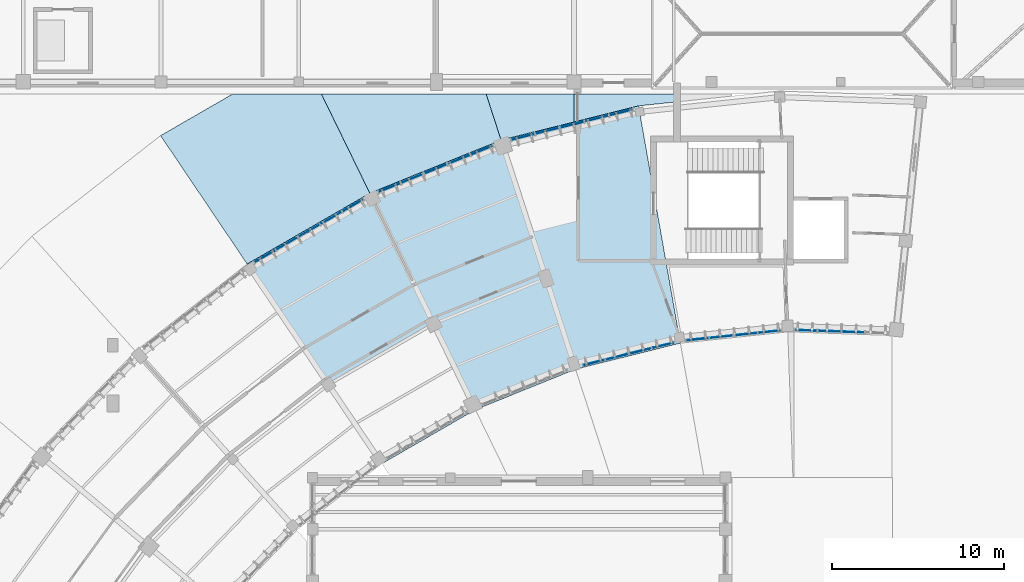
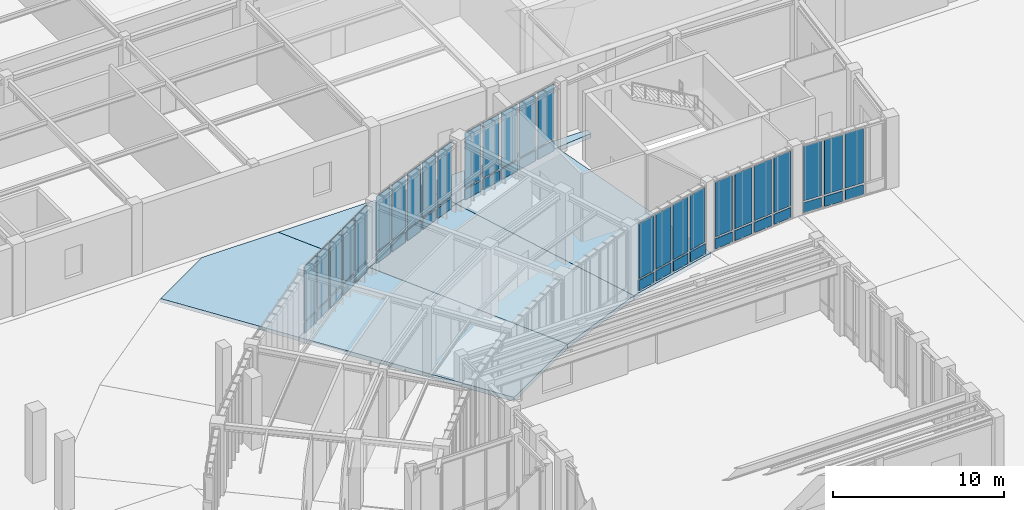
# One storey, part 27 of 68: 52 plates, 7 slabs, 6 elements without a shape of their own.
"""IFC4 building model written with IfcOpenShell, lengths in metres."""

from ifc_helpers import new_model, si_unit, direction, frame, origin, origin_2d, place, context, subcontext, project, spatial, polyline, rectangle, outline, extrude, material, layer, layer_set, type_object, element, aggregate, save


model = new_model("IFC4")

# Units and contexts
model_context = context("Model", 3, precision=1e-05, world=origin(), true_north=direction((0.0, 1.0)))
body_context = subcontext(model_context, "Body", "Model", "MODEL_VIEW")
ifc_project = project(units=[si_unit("LENGTHUNIT", "METRE"), si_unit("AREAUNIT", "SQUARE_METRE"), si_unit("VOLUMEUNIT", "CUBIC_METRE"), si_unit("PLANEANGLEUNIT", "RADIAN"), si_unit("MASSUNIT", "GRAM", prefix="KILO"), si_unit("THERMODYNAMICTEMPERATUREUNIT", "KELVIN"), si_unit("POWERUNIT", "WATT")], contexts=[model_context])

# Site, building, storey
site_placement = place(None, origin())
site = spatial("IfcSite", under=ifc_project, at=site_placement, CompositionType="ELEMENT")
building_placement = place(site_placement, origin())
building = spatial("IfcBuilding", under=site, at=building_placement, Name="Solvatero Civic Police Headquarters", CompositionType="ELEMENT")
storey_placement = place(building_placement, origin())
storey = spatial("IfcBuildingStorey", under=building, at=storey_placement, Name="L00", CompositionType="ELEMENT", Elevation=0.0)

# Curtain wall, plates
ifc_material_1 = material(Name="Anodized Bronze Aluminium", Category="aluminium")
ifc_layer_1 = layer(ifc_material_1, 0.179931640625)
ifc_layer_set_1 = layer_set([ifc_layer_1], Name="Anodized Bronze Aluminium")
curtain_wall_type_1 = type_object("IfcCurtainWallType", Name="CW-ARC-IN", PredefinedType="USERDEFINED", material=ifc_layer_set_1)
curtain_wall_1_placement = place(storey_placement, origin())
curtain_wall_1 = element("IfcCurtainWall", 1, at=curtain_wall_1_placement, inside=storey, type_object=curtain_wall_type_1, Name="Curtain Wall CW-R2-L00-ARC-IN-B01", ObjectType="UNITISED", PredefinedType="USERDEFINED")
ifc_material_2 = material(Name="Triple Low-E Laminated Glass", Category="glass")
ifc_layer_2 = layer(ifc_material_2, 0.0380859375)
ifc_layer_set_2 = layer_set([ifc_layer_2], Name="Triple Low-E Laminated Glass")
plate_type_1 = type_object("IfcPlateType", Name="CWP-GLZ-38", PredefinedType="CURTAIN_PANEL", material=ifc_layer_set_2)
plate_1_placement = place(storey_placement, frame((96.22314453125, 70.9599609375, 0.91015625), z_axis=(0.0, 0.0, 1.0), x_axis=(-0.999390827019, 0.034899496703, 0.0)))
plate_1 = element("IfcPlate", 2, at=plate_1_placement, type_object=plate_type_1, Name="CW-R2-L00-ARC-IN-B01 Vision Glazing 2", PredefinedType="CURTAIN_PANEL", context=body_context, shape_type="SweptSolid", body=[
    extrude(rectangle(XDim=1.200439453125, YDim=0.0380859375, at=origin_2d()), origin(), (0.0, 0.0, 1.0), 3.909912109375),
])
plate_2_placement = place(storey_placement, frame((93.4638671875, 71.05615234375, 0.91015625), z_axis=(0.0, 0.0, 1.0), x_axis=(-0.999390827019, 0.034899496703, 0.0)))
plate_2 = element("IfcPlate", 3, at=plate_2_placement, type_object=plate_type_1, Name="CW-R2-L00-ARC-IN-B01 Vision Glazing 4", PredefinedType="CURTAIN_PANEL", context=body_context, shape_type="SweptSolid", body=[
    extrude(rectangle(XDim=1.200439453125, YDim=0.0380859375, at=origin_2d()), origin(), (0.0, 0.0, 1.0), 3.909912109375),
])

curtain_wall_2_placement = place(storey_placement, origin())
curtain_wall_2 = element("IfcCurtainWall", 4, at=curtain_wall_2_placement, inside=storey, type_object=curtain_wall_type_1, Name="Curtain Wall CW-R2-L00-ARC-IN-B02", ObjectType="UNITISED", PredefinedType="USERDEFINED")
plate_3_placement = place(storey_placement, frame((91.376220703125, 70.982177734375, 0.91015625), z_axis=(0.0, 0.0, 1.0), x_axis=(-0.994523719583, -0.10451110557, 0.0)))
plate_3 = element("IfcPlate", 5, at=plate_3_placement, type_object=plate_type_1, Name="CW-R2-L00-ARC-IN-B02 Vision Glazing 1", PredefinedType="CURTAIN_PANEL", context=body_context, shape_type="SweptSolid", body=[
    extrude(rectangle(XDim=1.231689453125, YDim=0.0380859375, at=origin_2d()), origin(), (0.0, 0.0, 1.0), 3.909912109375),
])
plate_4_placement = place(storey_placement, frame((88.568359375, 70.68701171875, 0.91015625), z_axis=(0.0, 0.0, 1.0), x_axis=(-0.994523719583, -0.10451110557, 0.0)))
plate_4 = element("IfcPlate", 6, at=plate_4_placement, type_object=plate_type_1, Name="CW-R2-L00-ARC-IN-B02 Vision Glazing 3", PredefinedType="CURTAIN_PANEL", context=body_context, shape_type="SweptSolid", body=[
    extrude(rectangle(XDim=1.231689453125, YDim=0.0380859375, at=origin_2d()), origin(), (0.0, 0.0, 1.0), 3.909912109375),
])

ifc_layer_3 = layer(ifc_material_1, 0.179931640625)
ifc_layer_set_3 = layer_set([ifc_layer_3], Name="Anodized Bronze Aluminium")
curtain_wall_type_2 = type_object("IfcCurtainWallType", Name="CW-ARC-OUT", PredefinedType="USERDEFINED", material=ifc_layer_set_3)
curtain_wall_3_placement = place(storey_placement, origin())
curtain_wall_3 = element("IfcCurtainWall", 7, at=curtain_wall_3_placement, inside=storey, type_object=curtain_wall_type_2, Name="Curtain Wall CW-R2-L00-ARC-OUT-B03", ObjectType="UNITISED", PredefinedType="USERDEFINED")
plate_5_placement = place(storey_placement, frame((81.323974609375, 83.374267578125, 0.91015625), z_axis=(0.0, 0.0, 1.0), x_axis=(-0.970295726276, -0.2419218956, 0.0)))
plate_5 = element("IfcPlate", 8, at=plate_5_placement, type_object=plate_type_1, Name="CW-R2-L00-ARC-OUT-B03 Vision Glazing 2", PredefinedType="CURTAIN_PANEL", context=body_context, shape_type="SweptSolid", body=[
    extrude(rectangle(XDim=1.300537109375, YDim=0.0380859375, at=origin_2d()), origin(), (0.0, 0.0, 1.0), 3.909912109375),
])
plate_6_placement = place(storey_placement, frame((78.450927734375, 82.65771484375, 0.91015625), z_axis=(0.0, 0.0, 1.0), x_axis=(-0.970295726276, -0.2419218956, 0.0)))
plate_6 = element("IfcPlate", 9, at=plate_6_placement, type_object=plate_type_1, Name="CW-R2-L00-ARC-OUT-B03 Vision Glazing 4", PredefinedType="CURTAIN_PANEL", context=body_context, shape_type="SweptSolid", body=[
    extrude(rectangle(XDim=1.300537109375, YDim=0.0380859375, at=origin_2d()), origin(), (0.0, 0.0, 1.0), 3.909912109375),
])

curtain_wall_4_placement = place(storey_placement, origin())
curtain_wall_4 = element("IfcCurtainWall", 10, at=curtain_wall_4_placement, inside=storey, type_object=curtain_wall_type_1, Name="Curtain Wall CW-R2-L00-ARC-IN-B03", ObjectType="UNITISED", PredefinedType="USERDEFINED")
plate_7_placement = place(storey_placement, frame((85.19921875, 70.193603515625, 0.91015625), z_axis=(0.0, 0.0, 1.0), x_axis=(-0.970295726276, -0.2419218956, 0.0)))
plate_7 = element("IfcPlate", 11, at=plate_7_placement, type_object=plate_type_1, Name="CW-R2-L00-ARC-IN-B03 Vision Glazing 1", PredefinedType="CURTAIN_PANEL", context=body_context, shape_type="SweptSolid", body=[
    extrude(rectangle(XDim=1.212890625, YDim=0.0380859375, at=origin_2d()), origin(), (0.0, 0.0, 1.0), 3.909912109375),
])
plate_8_placement = place(storey_placement, frame((82.495849609375, 69.519775390625, 0.91015625), z_axis=(0.0, 0.0, 1.0), x_axis=(-0.970295726276, -0.2419218956, 0.0)))
plate_8 = element("IfcPlate", 12, at=plate_8_placement, type_object=plate_type_1, Name="CW-R2-L00-ARC-IN-B03 Vision Glazing 3", PredefinedType="CURTAIN_PANEL", context=body_context, shape_type="SweptSolid", body=[
    extrude(rectangle(XDim=1.212890625, YDim=0.0380859375, at=origin_2d()), origin(), (0.0, 0.0, 1.0), 3.909912109375),
])

curtain_wall_5_placement = place(storey_placement, origin())
curtain_wall_5 = element("IfcCurtainWall", 13, at=curtain_wall_5_placement, inside=storey, type_object=curtain_wall_type_2, Name="Curtain Wall CW-R2-L00-ARC-OUT-B04", ObjectType="UNITISED", PredefinedType="USERDEFINED")
plate_9_placement = place(storey_placement, frame((73.3115234375, 80.99072265625, 0.91015625), z_axis=(0.0, 0.0, 1.0), x_axis=(-0.927183854567, -0.374606593416, 0.0)))
plate_9 = element("IfcPlate", 14, at=plate_9_placement, type_object=plate_type_1, Name="CW-R2-L00-ARC-OUT-B04 Vision Glazing 2", PredefinedType="CURTAIN_PANEL", context=body_context, shape_type="SweptSolid", body=[
    extrude(rectangle(XDim=1.275390625, YDim=0.0380859375, at=origin_2d()), origin(), (0.0, 0.0, 1.0), 3.909912109375),
])
plate_10_placement = place(storey_placement, frame((70.612548828125, 79.900390625, 0.91015625), z_axis=(0.0, 0.0, 1.0), x_axis=(-0.927183854567, -0.374606593416, 0.0)))
plate_10 = element("IfcPlate", 15, at=plate_10_placement, type_object=plate_type_1, Name="CW-R2-L00-ARC-OUT-B04 Vision Glazing 4", PredefinedType="CURTAIN_PANEL", context=body_context, shape_type="SweptSolid", body=[
    extrude(rectangle(XDim=1.275390625, YDim=0.0380859375, at=origin_2d()), origin(), (0.0, 0.0, 1.0), 3.909912109375),
])

curtain_wall_6_placement = place(storey_placement, origin())
curtain_wall_6 = element("IfcCurtainWall", 16, at=curtain_wall_6_placement, inside=storey, type_object=curtain_wall_type_2, Name="Curtain Wall CW-R2-L00-ARC-OUT-B05", ObjectType="UNITISED", PredefinedType="USERDEFINED")
plate_11_placement = place(storey_placement, frame((65.8857421875, 77.59130859375, 0.91015625), z_axis=(0.0, 0.0, 1.0), x_axis=(-0.866034130299, -0.499984884929, 0.0)))
plate_11 = element("IfcPlate", 17, at=plate_11_placement, type_object=plate_type_1, Name="CW-R2-L00-ARC-OUT-B05 Vision Glazing 2", PredefinedType="CURTAIN_PANEL", context=body_context, shape_type="SweptSolid", body=[
    extrude(rectangle(XDim=1.305419921875, YDim=0.0380859375, at=origin_2d()), origin(), (0.0, 0.0, 1.0), 3.909912109375),
])
plate_12_placement = place(storey_placement, frame((63.312744140625, 76.105712890625, 0.91015625), z_axis=(0.0, 0.0, 1.0), x_axis=(-0.866034130299, -0.499984884929, 0.0)))
plate_12 = element("IfcPlate", 18, at=plate_12_placement, type_object=plate_type_1, Name="CW-R2-L00-ARC-OUT-B05 Vision Glazing 4", PredefinedType="CURTAIN_PANEL", context=body_context, shape_type="SweptSolid", body=[
    extrude(rectangle(XDim=1.305419921875, YDim=0.0380859375, at=origin_2d()), origin(), (0.0, 0.0, 1.0), 3.909912109375),
])

# Plate
ifc_material_3 = material(Name="Acoustic Ballistic Laminated Glass", Category="glass")
ifc_layer_4 = layer(ifc_material_3, 0.0439453125)
ifc_layer_set_4 = layer_set([ifc_layer_4], Name="Acoustic Ballistic Laminated Glass")
plate_type_2 = type_object("IfcPlateType", Name="CWP-GLZ-44", PredefinedType="CURTAIN_PANEL", material=ifc_layer_set_4)
plate_13_placement = place(storey_placement, frame((94.843505859375, 71.008056640625, 0.91015625), z_axis=(0.0, 0.0, 1.0), x_axis=(-0.999390827019, 0.034899496703, 0.0)))
plate_13 = element("IfcPlate", 19, at=plate_13_placement, type_object=plate_type_2, Name="CW-R2-L00-ARC-IN-B01 Vision Glazing 3", PredefinedType="CURTAIN_PANEL", context=body_context, shape_type="SweptSolid", body=[
    extrude(rectangle(XDim=1.200439453125, YDim=0.0439453125, at=origin_2d()), origin(), (0.0, 0.0, 1.0), 3.909912109375),
])

plate_14_placement = place(storey_placement, frame((89.972412109375, 70.834716796875, 0.91015625), z_axis=(0.0, 0.0, 1.0), x_axis=(-0.994523719583, -0.10451110557, 0.0)))
plate_14 = element("IfcPlate", 20, at=plate_14_placement, type_object=plate_type_2, Name="CW-R2-L00-ARC-IN-B02 Vision Glazing 2", PredefinedType="CURTAIN_PANEL", context=body_context, shape_type="SweptSolid", body=[
    extrude(rectangle(XDim=1.231689453125, YDim=0.0439453125, at=origin_2d()), origin(), (0.0, 0.0, 1.0), 3.909912109375),
])

plate_15_placement = place(storey_placement, frame((87.164306640625, 70.53955078125, 0.91015625), z_axis=(0.0, 0.0, 1.0), x_axis=(-0.994523719583, -0.10451110557, 0.0)))
plate_15 = element("IfcPlate", 21, at=plate_15_placement, type_object=plate_type_2, Name="CW-R2-L00-ARC-IN-B02 Vision Glazing 4", PredefinedType="CURTAIN_PANEL", context=body_context, shape_type="SweptSolid", body=[
    extrude(rectangle(XDim=1.231689453125, YDim=0.0439453125, at=origin_2d()), origin(), (0.0, 0.0, 1.0), 3.909912109375),
])

plate_16_placement = place(storey_placement, frame((82.760498046875, 83.732421875, 0.91015625), z_axis=(0.0, 0.0, 1.0), x_axis=(-0.970295726276, -0.2419218956, 0.0)))
plate_16 = element("IfcPlate", 22, at=plate_16_placement, type_object=plate_type_2, Name="CW-R2-L00-ARC-OUT-B03 Vision Glazing 1", PredefinedType="CURTAIN_PANEL", context=body_context, shape_type="SweptSolid", body=[
    extrude(rectangle(XDim=1.300537109375, YDim=0.0439453125, at=origin_2d()), origin(), (0.0, 0.0, 1.0), 3.909912109375),
])

plate_17_placement = place(storey_placement, frame((79.887451171875, 83.01611328125, 0.91015625), z_axis=(0.0, 0.0, 1.0), x_axis=(-0.970295726276, -0.2419218956, 0.0)))
plate_17 = element("IfcPlate", 23, at=plate_17_placement, type_object=plate_type_2, Name="CW-R2-L00-ARC-OUT-B03 Vision Glazing 3", PredefinedType="CURTAIN_PANEL", context=body_context, shape_type="SweptSolid", body=[
    extrude(rectangle(XDim=1.300537109375, YDim=0.0439453125, at=origin_2d()), origin(), (0.0, 0.0, 1.0), 3.909912109375),
])

plate_18_placement = place(storey_placement, frame((77.014404296875, 82.2998046875, 0.91015625), z_axis=(0.0, 0.0, 1.0), x_axis=(-0.970295726276, -0.2419218956, 0.0)))
plate_18 = element("IfcPlate", 24, at=plate_18_placement, type_object=plate_type_2, Name="CW-R2-L00-ARC-OUT-B03 Vision Glazing 5", PredefinedType="CURTAIN_PANEL", context=body_context, shape_type="SweptSolid", body=[
    extrude(rectangle(XDim=1.300537109375, YDim=0.0439453125, at=origin_2d()), origin(), (0.0, 0.0, 1.0), 3.909912109375),
])

plate_19_placement = place(storey_placement, frame((83.84765625, 69.856689453125, 0.91015625), z_axis=(0.0, 0.0, 1.0), x_axis=(-0.970295726276, -0.2419218956, 0.0)))
plate_19 = element("IfcPlate", 25, at=plate_19_placement, type_object=plate_type_2, Name="CW-R2-L00-ARC-IN-B03 Vision Glazing 2", PredefinedType="CURTAIN_PANEL", context=body_context, shape_type="SweptSolid", body=[
    extrude(rectangle(XDim=1.212890625, YDim=0.0439453125, at=origin_2d()), origin(), (0.0, 0.0, 1.0), 3.909912109375),
])

plate_20_placement = place(storey_placement, frame((81.144287109375, 69.1826171875, 0.91015625), z_axis=(0.0, 0.0, 1.0), x_axis=(-0.970295726276, -0.2419218956, 0.0)))
plate_20 = element("IfcPlate", 26, at=plate_20_placement, type_object=plate_type_2, Name="CW-R2-L00-ARC-IN-B03 Vision Glazing 4", PredefinedType="CURTAIN_PANEL", context=body_context, shape_type="SweptSolid", body=[
    extrude(rectangle(XDim=1.212890625, YDim=0.0439453125, at=origin_2d()), origin(), (0.0, 0.0, 1.0), 3.909912109375),
])

plate_21_placement = place(storey_placement, frame((74.6611328125, 81.5361328125, 0.91015625), z_axis=(0.0, 0.0, 1.0), x_axis=(-0.927183854567, -0.374606593416, 0.0)))
plate_21 = element("IfcPlate", 27, at=plate_21_placement, type_object=plate_type_2, Name="CW-R2-L00-ARC-OUT-B04 Vision Glazing 1", PredefinedType="CURTAIN_PANEL", context=body_context, shape_type="SweptSolid", body=[
    extrude(rectangle(XDim=1.275390625, YDim=0.0439453125, at=origin_2d()), origin(), (0.0, 0.0, 1.0), 3.909912109375),
])

plate_22_placement = place(storey_placement, frame((71.962158203125, 80.445556640625, 0.91015625), z_axis=(0.0, 0.0, 1.0), x_axis=(-0.927183854567, -0.374606593416, 0.0)))
plate_22 = element("IfcPlate", 28, at=plate_22_placement, type_object=plate_type_2, Name="CW-R2-L00-ARC-OUT-B04 Vision Glazing 3", PredefinedType="CURTAIN_PANEL", context=body_context, shape_type="SweptSolid", body=[
    extrude(rectangle(XDim=1.275390625, YDim=0.0439453125, at=origin_2d()), origin(), (0.0, 0.0, 1.0), 3.909912109375),
])

plate_23_placement = place(storey_placement, frame((69.26318359375, 79.35498046875, 0.91015625), z_axis=(0.0, 0.0, 1.0), x_axis=(-0.927183854567, -0.374606593416, 0.0)))
plate_23 = element("IfcPlate", 29, at=plate_23_placement, type_object=plate_type_2, Name="CW-R2-L00-ARC-OUT-B04 Vision Glazing 5", PredefinedType="CURTAIN_PANEL", context=body_context, shape_type="SweptSolid", body=[
    extrude(rectangle(XDim=1.275390625, YDim=0.0439453125, at=origin_2d()), origin(), (0.0, 0.0, 1.0), 3.909912109375),
])

plate_24_placement = place(storey_placement, frame((67.172119140625, 78.333984375, 0.91015625), z_axis=(0.0, 0.0, 1.0), x_axis=(-0.866034130299, -0.499984884929, 0.0)))
plate_24 = element("IfcPlate", 30, at=plate_24_placement, type_object=plate_type_2, Name="CW-R2-L00-ARC-OUT-B05 Vision Glazing 1", PredefinedType="CURTAIN_PANEL", context=body_context, shape_type="SweptSolid", body=[
    extrude(rectangle(XDim=1.305419921875, YDim=0.0439453125, at=origin_2d()), origin(), (0.0, 0.0, 1.0), 3.909912109375),
])

plate_25_placement = place(storey_placement, frame((64.599365234375, 76.8486328125, 0.91015625), z_axis=(0.0, 0.0, 1.0), x_axis=(-0.866034130299, -0.499984884929, 0.0)))
plate_25 = element("IfcPlate", 31, at=plate_25_placement, type_object=plate_type_2, Name="CW-R2-L00-ARC-OUT-B05 Vision Glazing 3", PredefinedType="CURTAIN_PANEL", context=body_context, shape_type="SweptSolid", body=[
    extrude(rectangle(XDim=1.305419921875, YDim=0.0439453125, at=origin_2d()), origin(), (0.0, 0.0, 1.0), 3.909912109375),
])

plate_26_placement = place(storey_placement, frame((62.0263671875, 75.363037109375, 0.91015625), z_axis=(0.0, 0.0, 1.0), x_axis=(-0.866034130299, -0.499984884929, 0.0)))
plate_26 = element("IfcPlate", 32, at=plate_26_placement, type_object=plate_type_2, Name="CW-R2-L00-ARC-OUT-B05 Vision Glazing 5", PredefinedType="CURTAIN_PANEL", context=body_context, shape_type="SweptSolid", body=[
    extrude(rectangle(XDim=1.305419921875, YDim=0.0439453125, at=origin_2d()), origin(), (0.0, 0.0, 1.0), 3.909912109375),
])

ifc_material_4 = material(Name="Insulated Bronze Aluminium Spandrel", Category="aluminium")
ifc_layer_5 = layer(ifc_material_4, 0.06005859375)
ifc_layer_set_5 = layer_set([ifc_layer_5], Name="Insulated Bronze Aluminium Spandrel")
plate_type_3 = type_object("IfcPlateType", Name="CWP-SPN-60", PredefinedType="CURTAIN_PANEL", material=ifc_layer_set_5)
plate_27_placement = place(storey_placement, frame((96.22314453125, 70.9599609375, 0.06005859375), z_axis=(0.0, 0.0, 1.0), x_axis=(-0.999390827019, 0.034899496703, 0.0)))
plate_27 = element("IfcPlate", 33, at=plate_27_placement, type_object=plate_type_3, Name="CW-R2-L00-ARC-IN-B01 Spandrel Panel 2", PredefinedType="CURTAIN_PANEL", context=body_context, shape_type="SweptSolid", body=[
    extrude(rectangle(XDim=1.200439453125, YDim=0.06005859375, at=origin_2d()), origin(), (0.0, 0.0, 1.0), 0.72998046875),
])

plate_28_placement = place(storey_placement, frame((93.4638671875, 71.05615234375, 0.06005859375), z_axis=(0.0, 0.0, 1.0), x_axis=(-0.999390827019, 0.034899496703, 0.0)))
plate_28 = element("IfcPlate", 34, at=plate_28_placement, type_object=plate_type_3, Name="CW-R2-L00-ARC-IN-B01 Spandrel Panel 4", PredefinedType="CURTAIN_PANEL", context=body_context, shape_type="SweptSolid", body=[
    extrude(rectangle(XDim=1.200439453125, YDim=0.06005859375, at=origin_2d()), origin(), (0.0, 0.0, 1.0), 0.72998046875),
])

plate_29_placement = place(storey_placement, frame((91.376220703125, 70.982177734375, 0.06005859375), z_axis=(0.0, 0.0, 1.0), x_axis=(-0.994523719583, -0.10451110557, 0.0)))
plate_29 = element("IfcPlate", 35, at=plate_29_placement, type_object=plate_type_3, Name="CW-R2-L00-ARC-IN-B02 Spandrel Panel 1", PredefinedType="CURTAIN_PANEL", context=body_context, shape_type="SweptSolid", body=[
    extrude(rectangle(XDim=1.231689453125, YDim=0.06005859375, at=origin_2d()), origin(), (0.0, 0.0, 1.0), 0.72998046875),
])

plate_30_placement = place(storey_placement, frame((88.568359375, 70.68701171875, 0.06005859375), z_axis=(0.0, 0.0, 1.0), x_axis=(-0.994523719583, -0.10451110557, 0.0)))
plate_30 = element("IfcPlate", 36, at=plate_30_placement, type_object=plate_type_3, Name="CW-R2-L00-ARC-IN-B02 Spandrel Panel 3", PredefinedType="CURTAIN_PANEL", context=body_context, shape_type="SweptSolid", body=[
    extrude(rectangle(XDim=1.231689453125, YDim=0.06005859375, at=origin_2d()), origin(), (0.0, 0.0, 1.0), 0.72998046875),
])

plate_31_placement = place(storey_placement, frame((81.323974609375, 83.374267578125, 0.06005859375), z_axis=(0.0, 0.0, 1.0), x_axis=(-0.970295726276, -0.2419218956, 0.0)))
plate_31 = element("IfcPlate", 37, at=plate_31_placement, type_object=plate_type_3, Name="CW-R2-L00-ARC-OUT-B03 Spandrel Panel 2", PredefinedType="CURTAIN_PANEL", context=body_context, shape_type="SweptSolid", body=[
    extrude(rectangle(XDim=1.300537109375, YDim=0.06005859375, at=origin_2d()), origin(), (0.0, 0.0, 1.0), 0.72998046875),
])

plate_32_placement = place(storey_placement, frame((78.450927734375, 82.65771484375, 0.06005859375), z_axis=(0.0, 0.0, 1.0), x_axis=(-0.970295726276, -0.2419218956, 0.0)))
plate_32 = element("IfcPlate", 38, at=plate_32_placement, type_object=plate_type_3, Name="CW-R2-L00-ARC-OUT-B03 Spandrel Panel 4", PredefinedType="CURTAIN_PANEL", context=body_context, shape_type="SweptSolid", body=[
    extrude(rectangle(XDim=1.300537109375, YDim=0.06005859375, at=origin_2d()), origin(), (0.0, 0.0, 1.0), 0.72998046875),
])

plate_33_placement = place(storey_placement, frame((85.19921875, 70.193603515625, 0.06005859375), z_axis=(0.0, 0.0, 1.0), x_axis=(-0.970295726276, -0.2419218956, 0.0)))
plate_33 = element("IfcPlate", 39, at=plate_33_placement, type_object=plate_type_3, Name="CW-R2-L00-ARC-IN-B03 Spandrel Panel 1", PredefinedType="CURTAIN_PANEL", context=body_context, shape_type="SweptSolid", body=[
    extrude(rectangle(XDim=1.212890625, YDim=0.06005859375, at=origin_2d()), origin(), (0.0, 0.0, 1.0), 0.72998046875),
])

plate_34_placement = place(storey_placement, frame((82.495849609375, 69.519775390625, 0.06005859375), z_axis=(0.0, 0.0, 1.0), x_axis=(-0.970295726276, -0.2419218956, 0.0)))
plate_34 = element("IfcPlate", 40, at=plate_34_placement, type_object=plate_type_3, Name="CW-R2-L00-ARC-IN-B03 Spandrel Panel 3", PredefinedType="CURTAIN_PANEL", context=body_context, shape_type="SweptSolid", body=[
    extrude(rectangle(XDim=1.212890625, YDim=0.06005859375, at=origin_2d()), origin(), (0.0, 0.0, 1.0), 0.72998046875),
])

plate_35_placement = place(storey_placement, frame((73.3115234375, 80.99072265625, 0.06005859375), z_axis=(0.0, 0.0, 1.0), x_axis=(-0.927183854567, -0.374606593416, 0.0)))
plate_35 = element("IfcPlate", 41, at=plate_35_placement, type_object=plate_type_3, Name="CW-R2-L00-ARC-OUT-B04 Spandrel Panel 2", PredefinedType="CURTAIN_PANEL", context=body_context, shape_type="SweptSolid", body=[
    extrude(rectangle(XDim=1.275390625, YDim=0.06005859375, at=origin_2d()), origin(), (0.0, 0.0, 1.0), 0.72998046875),
])

plate_36_placement = place(storey_placement, frame((70.612548828125, 79.900390625, 0.06005859375), z_axis=(0.0, 0.0, 1.0), x_axis=(-0.927183854567, -0.374606593416, 0.0)))
plate_36 = element("IfcPlate", 42, at=plate_36_placement, type_object=plate_type_3, Name="CW-R2-L00-ARC-OUT-B04 Spandrel Panel 4", PredefinedType="CURTAIN_PANEL", context=body_context, shape_type="SweptSolid", body=[
    extrude(rectangle(XDim=1.275390625, YDim=0.06005859375, at=origin_2d()), origin(), (0.0, 0.0, 1.0), 0.72998046875),
])

plate_37_placement = place(storey_placement, frame((65.8857421875, 77.59130859375, 0.06005859375), z_axis=(0.0, 0.0, 1.0), x_axis=(-0.866034130299, -0.499984884929, 0.0)))
plate_37 = element("IfcPlate", 43, at=plate_37_placement, type_object=plate_type_3, Name="CW-R2-L00-ARC-OUT-B05 Spandrel Panel 2", PredefinedType="CURTAIN_PANEL", context=body_context, shape_type="SweptSolid", body=[
    extrude(rectangle(XDim=1.305419921875, YDim=0.06005859375, at=origin_2d()), origin(), (0.0, 0.0, 1.0), 0.72998046875),
])

plate_38_placement = place(storey_placement, frame((63.312744140625, 76.105712890625, 0.06005859375), z_axis=(0.0, 0.0, 1.0), x_axis=(-0.866034130299, -0.499984884929, 0.0)))
plate_38 = element("IfcPlate", 44, at=plate_38_placement, type_object=plate_type_3, Name="CW-R2-L00-ARC-OUT-B05 Spandrel Panel 4", PredefinedType="CURTAIN_PANEL", context=body_context, shape_type="SweptSolid", body=[
    extrude(rectangle(XDim=1.305419921875, YDim=0.06005859375, at=origin_2d()), origin(), (0.0, 0.0, 1.0), 0.72998046875),
])

ifc_material_5 = material(Name="Limestone Veneer Spandrel Panel", Category="masonry")
ifc_layer_6 = layer(ifc_material_5, 0.074951171875)
ifc_layer_set_6 = layer_set([ifc_layer_6], Name="Limestone Veneer Spandrel Panel")
plate_type_4 = type_object("IfcPlateType", Name="CWP-SPN-75", PredefinedType="CURTAIN_PANEL", material=ifc_layer_set_6)
plate_39_placement = place(storey_placement, frame((94.843505859375, 71.008056640625, 0.06005859375), z_axis=(0.0, 0.0, 1.0), x_axis=(-0.999390827019, 0.034899496703, 0.0)))
plate_39 = element("IfcPlate", 45, at=plate_39_placement, type_object=plate_type_4, Name="CW-R2-L00-ARC-IN-B01 Spandrel Panel 3", PredefinedType="CURTAIN_PANEL", context=body_context, shape_type="SweptSolid", body=[
    extrude(rectangle(XDim=1.200439453125, YDim=0.074951171875, at=origin_2d()), origin(), (0.0, 0.0, 1.0), 0.72998046875),
])

aggregate(curtain_wall_1, [plate_27, plate_1, plate_39, plate_13, plate_28, plate_2])

plate_40_placement = place(storey_placement, frame((89.972412109375, 70.834716796875, 0.06005859375), z_axis=(0.0, 0.0, 1.0), x_axis=(-0.994523719583, -0.10451110557, 0.0)))
plate_40 = element("IfcPlate", 46, at=plate_40_placement, type_object=plate_type_4, Name="CW-R2-L00-ARC-IN-B02 Spandrel Panel 2", PredefinedType="CURTAIN_PANEL", context=body_context, shape_type="SweptSolid", body=[
    extrude(rectangle(XDim=1.231689453125, YDim=0.074951171875, at=origin_2d()), origin(), (0.0, 0.0, 1.0), 0.72998046875),
])

plate_41_placement = place(storey_placement, frame((87.164306640625, 70.53955078125, 0.06005859375), z_axis=(0.0, 0.0, 1.0), x_axis=(-0.994523719583, -0.10451110557, 0.0)))
plate_41 = element("IfcPlate", 47, at=plate_41_placement, type_object=plate_type_4, Name="CW-R2-L00-ARC-IN-B02 Spandrel Panel 4", PredefinedType="CURTAIN_PANEL", context=body_context, shape_type="SweptSolid", body=[
    extrude(rectangle(XDim=1.231689453125, YDim=0.074951171875, at=origin_2d()), origin(), (0.0, 0.0, 1.0), 0.72998046875),
])

aggregate(curtain_wall_2, [plate_29, plate_3, plate_40, plate_14, plate_30, plate_4, plate_41, plate_15])

plate_42_placement = place(storey_placement, frame((82.760498046875, 83.732421875, 0.06005859375), z_axis=(0.0, 0.0, 1.0), x_axis=(-0.970295726276, -0.2419218956, 0.0)))
plate_42 = element("IfcPlate", 48, at=plate_42_placement, type_object=plate_type_4, Name="CW-R2-L00-ARC-OUT-B03 Spandrel Panel 1", PredefinedType="CURTAIN_PANEL", context=body_context, shape_type="SweptSolid", body=[
    extrude(rectangle(XDim=1.300537109375, YDim=0.074951171875, at=origin_2d()), origin(), (0.0, 0.0, 1.0), 0.72998046875),
])

plate_43_placement = place(storey_placement, frame((79.887451171875, 83.01611328125, 0.06005859375), z_axis=(0.0, 0.0, 1.0), x_axis=(-0.970295726276, -0.2419218956, 0.0)))
plate_43 = element("IfcPlate", 49, at=plate_43_placement, type_object=plate_type_4, Name="CW-R2-L00-ARC-OUT-B03 Spandrel Panel 3", PredefinedType="CURTAIN_PANEL", context=body_context, shape_type="SweptSolid", body=[
    extrude(rectangle(XDim=1.300537109375, YDim=0.074951171875, at=origin_2d()), origin(), (0.0, 0.0, 1.0), 0.72998046875),
])

plate_44_placement = place(storey_placement, frame((77.014404296875, 82.2998046875, 0.06005859375), z_axis=(0.0, 0.0, 1.0), x_axis=(-0.970295726276, -0.2419218956, 0.0)))
plate_44 = element("IfcPlate", 50, at=plate_44_placement, type_object=plate_type_4, Name="CW-R2-L00-ARC-OUT-B03 Spandrel Panel 5", PredefinedType="CURTAIN_PANEL", context=body_context, shape_type="SweptSolid", body=[
    extrude(rectangle(XDim=1.300537109375, YDim=0.074951171875, at=origin_2d()), origin(), (0.0, 0.0, 1.0), 0.72998046875),
])

aggregate(curtain_wall_3, [plate_42, plate_16, plate_31, plate_5, plate_43, plate_17, plate_32, plate_6, plate_44, plate_18])

plate_45_placement = place(storey_placement, frame((83.84765625, 69.856689453125, 0.06005859375), z_axis=(0.0, 0.0, 1.0), x_axis=(-0.970295726276, -0.2419218956, 0.0)))
plate_45 = element("IfcPlate", 51, at=plate_45_placement, type_object=plate_type_4, Name="CW-R2-L00-ARC-IN-B03 Spandrel Panel 2", PredefinedType="CURTAIN_PANEL", context=body_context, shape_type="SweptSolid", body=[
    extrude(rectangle(XDim=1.212890625, YDim=0.074951171875, at=origin_2d()), origin(), (0.0, 0.0, 1.0), 0.72998046875),
])

plate_46_placement = place(storey_placement, frame((81.144287109375, 69.1826171875, 0.06005859375), z_axis=(0.0, 0.0, 1.0), x_axis=(-0.970295726276, -0.2419218956, 0.0)))
plate_46 = element("IfcPlate", 52, at=plate_46_placement, type_object=plate_type_4, Name="CW-R2-L00-ARC-IN-B03 Spandrel Panel 4", PredefinedType="CURTAIN_PANEL", context=body_context, shape_type="SweptSolid", body=[
    extrude(rectangle(XDim=1.212890625, YDim=0.074951171875, at=origin_2d()), origin(), (0.0, 0.0, 1.0), 0.72998046875),
])

aggregate(curtain_wall_4, [plate_33, plate_7, plate_45, plate_19, plate_34, plate_8, plate_46, plate_20])

plate_47_placement = place(storey_placement, frame((74.6611328125, 81.5361328125, 0.06005859375), z_axis=(0.0, 0.0, 1.0), x_axis=(-0.927183854567, -0.374606593416, 0.0)))
plate_47 = element("IfcPlate", 53, at=plate_47_placement, type_object=plate_type_4, Name="CW-R2-L00-ARC-OUT-B04 Spandrel Panel 1", PredefinedType="CURTAIN_PANEL", context=body_context, shape_type="SweptSolid", body=[
    extrude(rectangle(XDim=1.275390625, YDim=0.074951171875, at=origin_2d()), origin(), (0.0, 0.0, 1.0), 0.72998046875),
])

plate_48_placement = place(storey_placement, frame((71.962158203125, 80.445556640625, 0.06005859375), z_axis=(0.0, 0.0, 1.0), x_axis=(-0.927183854567, -0.374606593416, 0.0)))
plate_48 = element("IfcPlate", 54, at=plate_48_placement, type_object=plate_type_4, Name="CW-R2-L00-ARC-OUT-B04 Spandrel Panel 3", PredefinedType="CURTAIN_PANEL", context=body_context, shape_type="SweptSolid", body=[
    extrude(rectangle(XDim=1.275390625, YDim=0.074951171875, at=origin_2d()), origin(), (0.0, 0.0, 1.0), 0.72998046875),
])

plate_49_placement = place(storey_placement, frame((69.26318359375, 79.35498046875, 0.06005859375), z_axis=(0.0, 0.0, 1.0), x_axis=(-0.927183854567, -0.374606593416, 0.0)))
plate_49 = element("IfcPlate", 55, at=plate_49_placement, type_object=plate_type_4, Name="CW-R2-L00-ARC-OUT-B04 Spandrel Panel 5", PredefinedType="CURTAIN_PANEL", context=body_context, shape_type="SweptSolid", body=[
    extrude(rectangle(XDim=1.275390625, YDim=0.074951171875, at=origin_2d()), origin(), (0.0, 0.0, 1.0), 0.72998046875),
])

aggregate(curtain_wall_5, [plate_47, plate_21, plate_35, plate_9, plate_48, plate_22, plate_36, plate_10, plate_49, plate_23])

plate_50_placement = place(storey_placement, frame((67.172119140625, 78.333984375, 0.06005859375), z_axis=(0.0, 0.0, 1.0), x_axis=(-0.866034130299, -0.499984884929, 0.0)))
plate_50 = element("IfcPlate", 56, at=plate_50_placement, type_object=plate_type_4, Name="CW-R2-L00-ARC-OUT-B05 Spandrel Panel 1", PredefinedType="CURTAIN_PANEL", context=body_context, shape_type="SweptSolid", body=[
    extrude(rectangle(XDim=1.305419921875, YDim=0.074951171875, at=origin_2d()), origin(), (0.0, 0.0, 1.0), 0.72998046875),
])

plate_51_placement = place(storey_placement, frame((64.599365234375, 76.8486328125, 0.06005859375), z_axis=(0.0, 0.0, 1.0), x_axis=(-0.866034130299, -0.499984884929, 0.0)))
plate_51 = element("IfcPlate", 57, at=plate_51_placement, type_object=plate_type_4, Name="CW-R2-L00-ARC-OUT-B05 Spandrel Panel 3", PredefinedType="CURTAIN_PANEL", context=body_context, shape_type="SweptSolid", body=[
    extrude(rectangle(XDim=1.305419921875, YDim=0.074951171875, at=origin_2d()), origin(), (0.0, 0.0, 1.0), 0.72998046875),
])

plate_52_placement = place(storey_placement, frame((62.0263671875, 75.363037109375, 0.06005859375), z_axis=(0.0, 0.0, 1.0), x_axis=(-0.866034130299, -0.499984884929, 0.0)))
plate_52 = element("IfcPlate", 58, at=plate_52_placement, type_object=plate_type_4, Name="CW-R2-L00-ARC-OUT-B05 Spandrel Panel 5", PredefinedType="CURTAIN_PANEL", context=body_context, shape_type="SweptSolid", body=[
    extrude(rectangle(XDim=1.305419921875, YDim=0.074951171875, at=origin_2d()), origin(), (0.0, 0.0, 1.0), 0.72998046875),
])

aggregate(curtain_wall_6, [plate_50, plate_24, plate_37, plate_11, plate_51, plate_25, plate_38, plate_12, plate_52, plate_26])

# Slabs
ifc_material_6 = material(Name="Concrete C40/50", Category="concrete")
ifc_layer_7 = layer(ifc_material_6, 0.300048828125)
ifc_layer_set_7 = layer_set([ifc_layer_7], Name="Concrete C40/50")
slab_type_1 = type_object("IfcSlabType", Name="SLB-RC-300", PredefinedType="FLOOR", material=ifc_layer_set_7)
slab_1_placement = place(storey_placement, frame((0.0, 0.0, -0.300048828125)))
element("IfcSlab", 59, at=slab_1_placement, inside=storey, type_object=slab_type_1, Name="L00 Operations Arc Floor Slab Bay 3", PredefinedType="FLOOR", context=body_context, shape_type="SweptSolid", body=[
    extrude(outline(polyline([(83.7529296875, 84.103271484375), (86.183837890625, 70.31591796875), (80.09423828125, 68.797607421875), (75.76806640625, 82.1123046875), (83.7529296875, 84.103271484375)])), origin(), (0.0, 0.0, 1.0), 0.300048828125),
])
slab_2_placement = place(storey_placement, frame((0.0, 0.0, -0.300048828125)))
element("IfcSlab", 60, at=slab_2_placement, inside=storey, type_object=slab_type_1, Name="L00 Operations Arc Floor Slab Bay 4", PredefinedType="FLOOR", context=body_context, shape_type="SweptSolid", body=[
    extrude(outline(polyline([(75.76611328125, 82.111572265625), (80.09228515625, 68.796630859375), (74.273193359375, 66.44580078125), (68.135986328125, 79.02880859375), (75.76611328125, 82.111572265625)])), origin(), (0.0, 0.0, 1.0), 0.300048828125),
])
slab_3_placement = place(storey_placement, frame((0.0, 0.0, -0.300048828125)))
element("IfcSlab", 61, at=slab_3_placement, inside=storey, type_object=slab_type_1, Name="L00 Operations Arc Floor Slab Bay 5", PredefinedType="FLOOR", context=body_context, shape_type="SweptSolid", body=[
    extrude(outline(polyline([(68.134521484375, 79.02783203125), (74.271484375, 66.444580078125), (68.836181640625, 63.306640625), (61.007568359375, 74.9130859375), (68.134521484375, 79.02783203125)])), origin(), (0.0, 0.0, 1.0), 0.300048828125),
])
slab_4_placement = place(storey_placement, frame((0.0, 0.0, -0.300048828125)))
element("IfcSlab", 62, at=slab_4_placement, inside=storey, type_object=slab_type_1, Name="L00 Suspended floor slab SLB-L00-C3LK", PredefinedType="FLOOR", context=body_context, shape_type="SweptSolid", body=[
    extrude(outline(polyline([(80.0, 84.798095703125), (86.199951171875, 84.798095703125), (86.199951171875, 84.36279296875), (83.75244140625, 84.10546875), (80.0, 83.169677734375), (80.0, 84.798095703125)])), origin(), (0.0, 0.0, 1.0), 0.300048828125),
])
ifc_material_7 = material(Name="Concrete C35/45", Category="concrete")
ifc_layer_8 = layer(ifc_material_7, 0.260009765625)
ifc_layer_set_8 = layer_set([ifc_layer_8], Name="Concrete C35/45")
slab_type_2 = type_object("IfcSlabType", Name="SLB-TERR-260", PredefinedType="FLOOR", material=ifc_layer_set_8)
slab_5_placement = place(storey_placement, frame((0.0, 0.0, -0.260009765625)))
element("IfcSlab", 63, at=slab_5_placement, inside=storey, type_object=slab_type_2, Name="L00 Walkable roof terrace slab SLB-L00-CROUT-B03", PredefinedType="FLOOR", context=body_context, shape_type="SweptSolid", body=[
    extrude(outline(polyline([(74.895263671875, 84.798095703125), (79.998046875, 84.798095703125), (79.998046875, 83.169189453125), (75.767333984375, 82.1142578125), (74.895263671875, 84.798095703125)])), origin(), (0.0, 0.0, 1.0), 0.260009765625),
])
slab_6_placement = place(storey_placement, frame((0.0, 0.0, -0.260009765625)))
element("IfcSlab", 64, at=slab_6_placement, inside=storey, type_object=slab_type_2, Name="L00 Walkable roof terrace slab SLB-L00-CROUT-B04", PredefinedType="FLOOR", context=body_context, shape_type="SweptSolid", body=[
    extrude(outline(polyline([(65.322265625, 84.798095703125), (74.893310546875, 84.798095703125), (75.765380859375, 82.113525390625), (68.13525390625, 79.030517578125), (65.322265625, 84.798095703125)])), origin(), (0.0, 0.0, 1.0), 0.260009765625),
])
slab_7_placement = place(storey_placement, frame((0.0, 0.0, -0.260009765625)))
element("IfcSlab", 65, at=slab_7_placement, inside=storey, type_object=slab_type_2, Name="L00 Walkable roof terrace slab SLB-L00-CROUT-B05", PredefinedType="FLOOR", context=body_context, shape_type="SweptSolid", body=[
    extrude(outline(polyline([(55.974853515625, 82.37451171875), (60.17236328125, 84.798095703125), (65.320068359375, 84.798095703125), (68.133544921875, 79.029541015625), (61.006591796875, 74.914794921875), (55.974853515625, 82.37451171875)])), origin(), (0.0, 0.0, 1.0), 0.260009765625),
])

save(model, "model.ifc")
